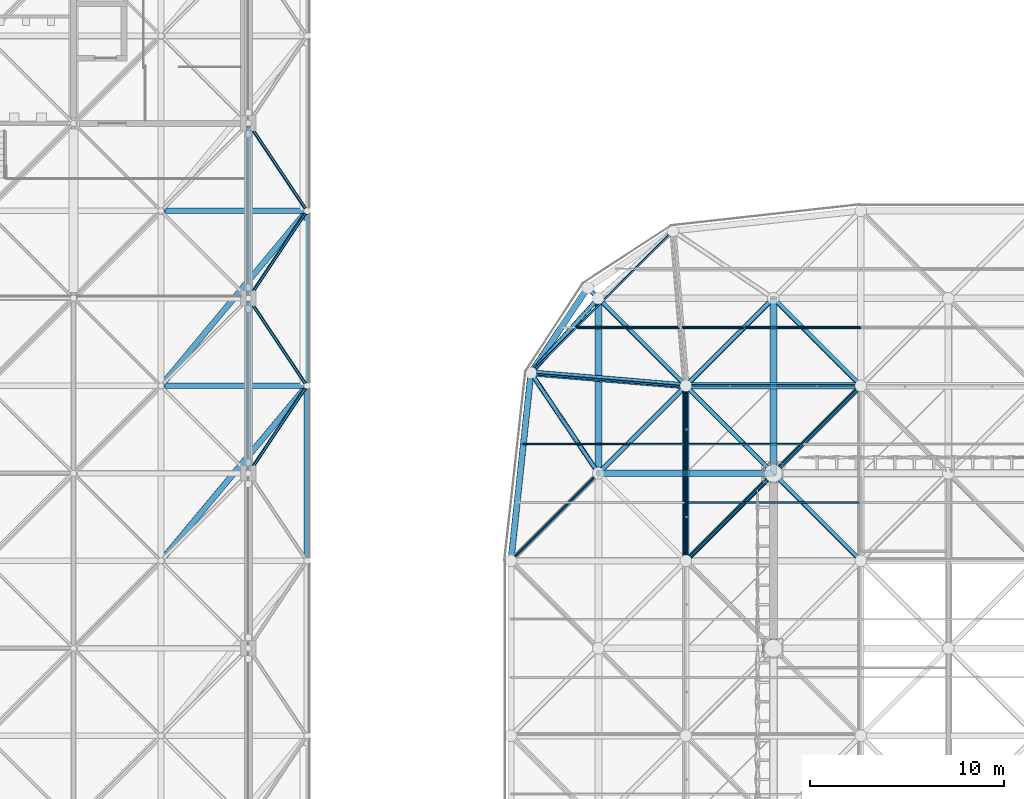
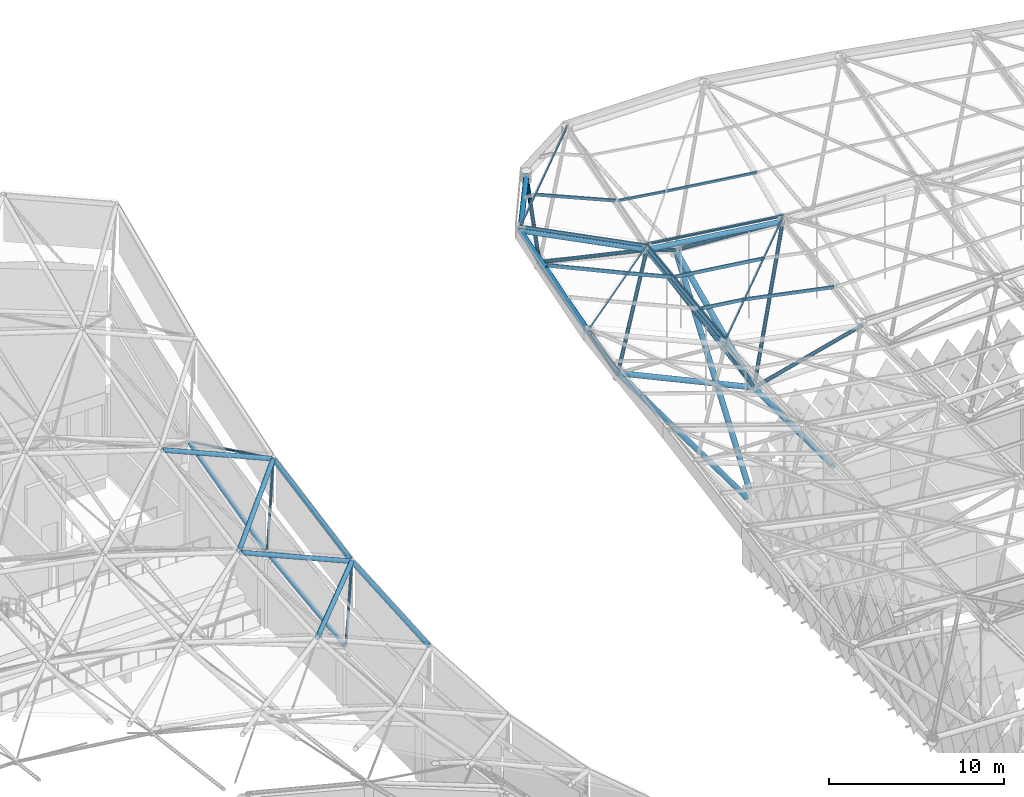
# One storey, part 145 of 437: 49 members.
"""IFC4 building model written with IfcOpenShell, lengths in metres."""

import ifcopenshell
import ifcopenshell.guid

model = None  # the IFC model being written
_history = None  # IfcOwnerHistory: only IFC2X3 demands one
_inside = {}  # id of a spatial element -> (the spatial element, [elements in it])
_under = {}  # id of a project, library or spatial element -> (it, [spatial elements below it])
_declared = {}  # id of a project -> (the project, [libraries it declares])
_typed = {}  # id of a type object -> (the type object, [elements of that type])
_made_of = {}  # id of a material, layer set ... -> (it, [elements and type objects made of it])


def new_model(schema):
    """Start an empty IFC model of exactly this schema.

    Asked for "IFC4X3", IfcOpenShell would pick the latest addendum, in which some entities
    have other attributes; the version numbers below select the first issue.
    IFC2X3 requires an IfcOwnerHistory on every rooted entity: one is made here for all.
    """
    global model, _history
    if schema == "IFC4X3":
        model = ifcopenshell.file(schema_version=(4, 3, 0, 0))
    else:
        model = ifcopenshell.file(schema=schema)
    _inside.clear()
    _under.clear()
    _declared.clear()
    _typed.clear()
    _made_of.clear()
    _history = None
    if model.schema == "IFC2X3":
        org = make("IfcOrganization", Name="unknown")
        user = make(
            "IfcPersonAndOrganization",
            ThePerson=make("IfcPerson", FamilyName="unknown"),
            TheOrganization=org,
        )
        app = make(
            "IfcApplication",
            ApplicationDeveloper=org,
            Version="unknown",
            ApplicationFullName="unknown",
            ApplicationIdentifier="unknown",
        )
        _history = make(
            "IfcOwnerHistory",
            OwningUser=user,
            OwningApplication=app,
            ChangeAction="ADDED",
            CreationDate=0,
        )
    return model


def make(cls, **values):
    """One entity of the class cls with the attributes given. An attribute that is None is left unset."""
    return model.create_entity(
        cls, **{name: value for name, value in values.items() if value is not None}
    )


def rooted(cls, **values):
    """An entity with a GlobalId (a new one), such as an element, a storey or a relation."""
    return make(cls, GlobalId=ifcopenshell.guid.new(), OwnerHistory=_history, **values)


def si_unit(unit_type, name, prefix=None):
    """IfcSIUnit, for example si_unit("LENGTHUNIT", "METRE", prefix="MILLI")."""
    return make("IfcSIUnit", UnitType=unit_type, Prefix=prefix, Name=name)


def assignment(units):
    """IfcUnitAssignment: the units of a project."""
    return None if units is None else make("IfcUnitAssignment", Units=units)


def point(xyz):
    """IfcCartesianPoint."""
    return None if xyz is None else make("IfcCartesianPoint", Coordinates=xyz)


def direction(xyz):
    """IfcDirection."""
    return None if xyz is None else make("IfcDirection", DirectionRatios=xyz)


def frame(location, z_axis=None, x_axis=None):
    """IfcAxis2Placement3D, a coordinate frame: its origin and axes. An axis left out is left unset."""
    return make(
        "IfcAxis2Placement3D",
        Location=point(location),
        Axis=direction(z_axis),
        RefDirection=direction(x_axis),
    )


def frame_2d(location, x_axis=None):
    """IfcAxis2Placement2D, a coordinate frame in the plane: its origin and x axis."""
    return make(
        "IfcAxis2Placement2D", Location=point(location), RefDirection=direction(x_axis)
    )


def origin():
    """The frame at (0, 0, 0) with its axes left unset."""
    return frame((0.0, 0.0, 0.0))


def origin_2d():
    """The frame at (0, 0) in the plane with its x axis left unset."""
    return frame_2d((0.0, 0.0))


def place(relative_to, where):
    """IfcLocalPlacement: puts the frame where relative to a parent placement (None: the world)."""
    return make(
        "IfcLocalPlacement", PlacementRelTo=relative_to, RelativePlacement=where
    )


def context(
    kind, dimensions, precision=None, world=None, true_north=None, identifier=None
):
    """IfcGeometricRepresentationContext, for example the 3D "Model" context."""
    return make(
        "IfcGeometricRepresentationContext",
        ContextIdentifier=identifier,
        ContextType=kind,
        CoordinateSpaceDimension=dimensions,
        Precision=precision,
        WorldCoordinateSystem=world,
        TrueNorth=true_north,
    )


def subcontext(parent, identifier, kind, view, scale=None):
    """IfcGeometricRepresentationSubContext, for example "Body" below "Model"."""
    return make(
        "IfcGeometricRepresentationSubContext",
        ContextIdentifier=identifier,
        ContextType=kind,
        ParentContext=parent,
        TargetScale=scale,
        TargetView=view,
    )


def project(units=None, contexts=None):
    """IfcProject with its units and contexts."""
    return rooted(
        "IfcProject",
        Name="project",
        RepresentationContexts=contexts,
        UnitsInContext=assignment(units),
    )


def spatial(cls, under=None, at=None, **own):
    """A site, building, storey or space (cls), placed at a placement, below another one or the project."""
    s = rooted(cls, ObjectPlacement=at, **own)
    if under is not None:
        _under.setdefault(under.id(), (under, []))[1].append(s)
    return s


def polyline(points):
    """IfcPolyline through the points."""
    return make("IfcPolyline", Points=[point(p) for p in points])


def profile(cls, at=None, kind="AREA", **sizes):
    """A parametric profile (cls). Its sizes go by their IFC names, for example OverallWidth=200.0."""
    return make(cls, ProfileType=kind, Position=at, **sizes)


def hollow_circle(**sizes):
    """IfcCircleHollowProfileDef."""
    return profile("IfcCircleHollowProfileDef", **sizes)


def outline(outer, holes=None, kind="AREA"):
    """IfcArbitraryClosedProfileDef: a profile drawn as a closed curve; with holes, ...WithVoids."""
    if holes is None:
        return make("IfcArbitraryClosedProfileDef", ProfileType=kind, OuterCurve=outer)
    return make(
        "IfcArbitraryProfileDefWithVoids",
        ProfileType=kind,
        OuterCurve=outer,
        InnerCurves=holes,
    )


def extrude(swept, where, along, depth):
    """IfcExtrudedAreaSolid: the profile swept, set in the frame where, extruded along a direction by depth."""
    return make(
        "IfcExtrudedAreaSolid",
        SweptArea=swept,
        Position=where,
        ExtrudedDirection=direction(along),
        Depth=depth,
    )


def shape(context_of_items, identifier, shape_type, items):
    """IfcShapeRepresentation: the items that make up one representation, for example the "Body"."""
    return make(
        "IfcShapeRepresentation",
        ContextOfItems=context_of_items,
        RepresentationIdentifier=identifier,
        RepresentationType=shape_type,
        Items=items,
    )


def material(Name=None, Category=None):
    """IfcMaterial."""
    return make("IfcMaterial", Name=Name, Category=Category)


def material_profile(
    of_material, cross_section, Name=None, Category=None, Priority=None
):
    """IfcMaterialProfile: a cross section and its material."""
    return make(
        "IfcMaterialProfile",
        Name=Name,
        Material=of_material,
        Profile=cross_section,
        Priority=Priority,
        Category=Category,
    )


def profile_set(profiles, Name=None, composite=None):
    """IfcMaterialProfileSet."""
    return make(
        "IfcMaterialProfileSet",
        Name=Name,
        MaterialProfiles=profiles,
        CompositeProfile=composite,
    )


def made_of(thing, what):
    """Note that an element or type object is made of a material, layer set ...; save() writes the relation."""
    if what is not None:
        _made_of.setdefault(what.id(), (what, []))[1].append(thing)
    return thing


def type_object(cls, material=None, **own):
    """A type object (cls), such as IfcWallType, which elements share."""
    return made_of(rooted(cls, **own), material)


def element(
    cls,
    number,
    at=None,
    inside=None,
    cuts=None,
    type_object=None,
    material=None,
    context=None,
    identifier="Body",
    shape_type=None,
    held_by="IfcProductDefinitionShape",
    body=None,
    shapes=None,
    **own,
):
    """One element of the class cls, such as IfcWall. Its Tag is "e" and its number.

    at: its placement. inside: the storey or other place that contains it. cuts: it is an
    opening in that element (IfcRelVoidsElement). A single representation is given by context,
    identifier, shape_type and body (its items); several are given by shapes. held_by: the class
    of the entity that holds the representations. save() writes the other relations.
    """
    e = rooted(cls, Tag="e%d" % number, ObjectPlacement=at, **own)
    if body is not None:
        shapes = [shape(context, identifier, shape_type, body)]
    if shapes is not None:
        e.Representation = make(held_by, Representations=shapes)
    if inside is not None:
        _inside.setdefault(inside.id(), (inside, []))[1].append(e)
    if cuts is not None:
        rooted(
            "IfcRelVoidsElement", RelatingBuildingElement=cuts, RelatedOpeningElement=e
        )
    if type_object is not None:
        _typed.setdefault(type_object.id(), (type_object, []))[1].append(e)
    return made_of(e, material)


def aggregate(whole, parts):
    """IfcRelAggregates: a whole, such as a stair, and the parts it consists of."""
    return rooted("IfcRelAggregates", RelatingObject=whole, RelatedObjects=parts)


def save(model, path):
    """Write the relations noted so far, then the file.

    IfcRelAggregates (storeys below a building ...), IfcRelContainedInSpatialStructure (elements
    in a storey), IfcRelDefinesByType, IfcRelAssociatesMaterial and IfcRelDeclares: one each for
    every whole, place, type object, material and project.
    """
    for whole, parts in _under.values():
        aggregate(whole, parts)
    for where, things in _inside.values():
        rooted(
            "IfcRelContainedInSpatialStructure",
            RelatedElements=things,
            RelatingStructure=where,
        )
    for kind, things in _typed.values():
        rooted("IfcRelDefinesByType", RelatedObjects=things, RelatingType=kind)
    for what, things in _made_of.values():
        rooted("IfcRelAssociatesMaterial", RelatedObjects=things, RelatingMaterial=what)
    for by, libraries in _declared.values():
        rooted("IfcRelDeclares", RelatingContext=by, RelatedDefinitions=libraries)
    model.write(path)


model = new_model("IFC4")

# Units and contexts
model_context = context("Model", 3, precision=1e-05, world=origin(), true_north=direction((0.0, 1.0)))
body_context = subcontext(model_context, "Body", "Model", "MODEL_VIEW")
ifc_project = project(units=[si_unit("LENGTHUNIT", "METRE"), si_unit("AREAUNIT", "SQUARE_METRE"), si_unit("VOLUMEUNIT", "CUBIC_METRE"), si_unit("PLANEANGLEUNIT", "RADIAN"), si_unit("MASSUNIT", "GRAM", prefix="KILO")], contexts=[model_context])

# Site, building, storey
site_placement = place(None, origin())
site = spatial("IfcSite", under=ifc_project, at=site_placement, CompositionType="ELEMENT")
building_placement = place(site_placement, origin())
building = spatial("IfcBuilding", under=site, at=building_placement, Name="Opaline Strait Convention Centre", CompositionType="ELEMENT")
storey_placement = place(building_placement, frame((0.0, 0.0, 11.5)))
storey = spatial("IfcBuildingStorey", under=building, at=storey_placement, Name="L02", CompositionType="ELEMENT", Elevation=11.5)

# Members
ifc_material = material(Name="Steel Q355B", Category="steel")
ifc_material_profile_1 = material_profile(ifc_material, hollow_circle(Radius=0.175537109375, WallThickness=0.01611328125, at=origin_2d()), Name="CHS 351x16")
ifc_profile_set_1 = profile_set([ifc_material_profile_1], Name="Steel Q355B")
member_type_1 = type_object("IfcMemberType", Name="Raking prop CHS 351x16", PredefinedType="BRACE", material=ifc_profile_set_1)
for number, where, z_axis, x_axis, name in (
    (1, (99.0, 153.51611328125, 5.02197265625), (0.0, 0.58919697761, 0.807989431599), (-1.0, 0.0, 0.0), "Raking prop 99/153 N"),
    (2, (98.48388671875, 153.0, 5.02197265625), (-0.58919697761, 0.0, 0.807989431599), (0.0, -1.0, 0.0), "Raking prop 99/153 W"),
):
    element("IfcMember", number, at=place(storey_placement, frame(where, z_axis=z_axis, x_axis=x_axis)), inside=storey, type_object=member_type_1, Name=name, PredefinedType="BRACE", context=body_context, shape_type="SweptSolid", body=[
        extrude(hollow_circle(Radius=0.175537109375, WallThickness=0.01611328125, at=origin_2d()), origin(), (0.0, 0.0, 1.0), 14.44921875),
    ])
ifc_material_profile_2 = material_profile(ifc_material, outline(polyline([(-0.03759765625, -0.125), (0.03759765625, -0.125), (0.03759765625, -0.10498046875), (0.034912109375, -0.10498046875), (0.034912109375, -0.12255859375), (-0.034912109375, -0.12255859375), (-0.034912109375, 0.12255859375), (0.034912109375, 0.12255859375), (0.034912109375, 0.10498046875), (0.03759765625, 0.10498046875), (0.03759765625, 0.125), (-0.03759765625, 0.125), (-0.03759765625, -0.125)])), Name="C 250x75x20x2.5")
ifc_profile_set_2 = profile_set([ifc_material_profile_2], Name="Steel Q355B")
member_type_2 = type_object("IfcMemberType", Name="Roof purlin C 250x75x20x2.5", PredefinedType="PURLIN", material=ifc_profile_set_2)
member_1_placement = place(storey_placement, frame((85.5, 148.5, 24.065673828125), z_axis=(0.690740022732, 0.690740022732, -0.213907554783), x_axis=(-0.602521591585, 0.713355387204, 0.357899180246)))
element("IfcMember", 3, at=member_1_placement, inside=storey, type_object=member_type_2, Name="EXB-RF-F-0-12", PredefinedType="PURLIN", context=body_context, shape_type="SweptSolid", body=[
    extrude(outline(polyline([(-0.03759765625, -0.125), (0.03759765625, -0.125), (0.03759765625, -0.10498046875), (0.034912109375, -0.10498046875), (0.034912109375, -0.12255859375), (-0.034912109375, -0.12255859375), (-0.034912109375, 0.12255859375), (0.034912109375, 0.12255859375), (0.034912109375, 0.10498046875), (0.03759765625, 0.10498046875), (0.03759765625, 0.125), (-0.03759765625, 0.125), (-0.03759765625, -0.125)])), origin(), (0.0, 0.0, 1.0), 13.029541015625),
])
member_2_placement = place(storey_placement, frame((94.412109375, 148.449951171875, 20.138916015625), z_axis=(0.0, 0.991630499032, 0.129108301009), x_axis=(-0.916598046716, -0.051618787349, 0.39646377079)))
element("IfcMember", 4, at=member_2_placement, inside=storey, type_object=member_type_2, Name="EXB-RF-E-0-12a", PredefinedType="PURLIN", context=body_context, shape_type="SweptSolid", body=[
    extrude(outline(polyline([(-0.03759765625, -0.125), (0.03759765625, -0.125), (0.03759765625, -0.10498046875), (0.034912109375, -0.10498046875), (0.034912109375, -0.12255859375), (-0.034912109375, -0.12255859375), (-0.034912109375, 0.12255859375), (0.034912109375, 0.12255859375), (0.034912109375, 0.10498046875), (0.03759765625, 0.10498046875), (0.03759765625, 0.125), (-0.03759765625, 0.125), (-0.03759765625, -0.125)])), origin(), (0.0, 0.0, 1.0), 9.177001953125),
])
member_3_placement = place(storey_placement, frame((91.550048828125, 154.5, 22.18505859375), z_axis=(0.915362810246, 0.0, -0.402630010827), x_axis=(0.051977528429, 0.991632228384, 0.118168778316)))
element("IfcMember", 5, at=member_3_placement, inside=storey, type_object=member_type_2, Name="EXB-RF-P-0-12-1a", PredefinedType="PURLIN", context=body_context, shape_type="SweptSolid", body=[
    extrude(outline(polyline([(-0.03759765625, -0.125), (0.03759765625, -0.125), (0.03759765625, -0.10498046875), (0.034912109375, -0.10498046875), (0.034912109375, -0.12255859375), (-0.034912109375, -0.12255859375), (-0.034912109375, 0.12255859375), (0.034912109375, 0.12255859375), (0.034912109375, 0.10498046875), (0.03759765625, 0.10498046875), (0.03759765625, 0.125), (-0.03759765625, 0.125), (-0.03759765625, -0.125)])), origin(), (0.0, 0.0, 1.0), 3.0888671875),
])
member_4_placement = place(storey_placement, frame((94.54638671875, 157.4560546875, 21.251953125), z_axis=(-0.903662565532, 0.075517033196, 0.42153427542), x_axis=(-0.123221130266, -0.988553259853, -0.087057483823)))
element("IfcMember", 6, at=member_4_placement, inside=storey, type_object=member_type_2, Name="EXB-RF-E-0-12b", PredefinedType="PURLIN", context=body_context, shape_type="SweptSolid", body=[
    extrude(outline(polyline([(-0.03759765625, -0.125), (0.03759765625, -0.125), (0.03759765625, -0.10498046875), (0.034912109375, -0.10498046875), (0.034912109375, -0.12255859375), (-0.034912109375, -0.12255859375), (-0.034912109375, 0.12255859375), (0.034912109375, 0.12255859375), (0.034912109375, 0.10498046875), (0.03759765625, 0.10498046875), (0.03759765625, 0.125), (-0.03759765625, 0.125), (-0.03759765625, -0.125)])), origin(), (0.0, 0.0, 1.0), 8.9326171875),
])
member_5_placement = place(storey_placement, frame((86.137939453125, 154.5, 24.644287109375), z_axis=(0.91042951865, 0.0, -0.413664225635), x_axis=(0.059241297029, 0.989692168796, 0.130383586967)))
element("IfcMember", 7, at=member_5_placement, inside=storey, type_object=member_type_2, Name="EXB-RF-P-0-12-1b", PredefinedType="PURLIN", context=body_context, shape_type="SweptSolid", body=[
    extrude(outline(polyline([(-0.03759765625, -0.125), (0.03759765625, -0.125), (0.03759765625, -0.10498046875), (0.034912109375, -0.10498046875), (0.034912109375, -0.12255859375), (-0.034912109375, -0.12255859375), (-0.034912109375, 0.12255859375), (0.034912109375, 0.12255859375), (0.034912109375, 0.10498046875), (0.03759765625, 0.10498046875), (0.03759765625, 0.125), (-0.03759765625, 0.125), (-0.03759765625, -0.125)])), origin(), (0.0, 0.0, 1.0), 5.834716796875),
])
member_6_placement = place(storey_placement, frame((94.5, 148.5, 20.094970703125), z_axis=(0.707106781187, 0.707106781187, 0.0), x_axis=(-0.695418880638, 0.695418880638, 0.181066730526)))
element("IfcMember", 8, at=member_6_placement, inside=storey, type_object=member_type_2, Name="EXB-RF-F-1-12", PredefinedType="PURLIN", context=body_context, shape_type="SweptSolid", body=[
    extrude(outline(polyline([(-0.03759765625, -0.125), (0.03759765625, -0.125), (0.03759765625, -0.10498046875), (0.034912109375, -0.10498046875), (0.034912109375, -0.12255859375), (-0.034912109375, -0.12255859375), (-0.034912109375, 0.12255859375), (0.034912109375, 0.12255859375), (0.034912109375, 0.10498046875), (0.03759765625, 0.10498046875), (0.03759765625, 0.125), (-0.03759765625, 0.125), (-0.03759765625, -0.125)])), origin(), (0.0, 0.0, 1.0), 12.72802734375),
])
member_7_placement = place(storey_placement, frame((97.550048828125, 151.5, 20.087890625), z_axis=(0.979777081939, 0.0, -0.200092153035), x_axis=(0.040033968348, 0.97978004307, 0.196031498947)))
element("IfcMember", 9, at=member_7_placement, inside=storey, type_object=member_type_2, Name="EXB-RF-P-1-12-0a", PredefinedType="PURLIN", context=body_context, shape_type="SweptSolid", body=[
    extrude(outline(polyline([(-0.03759765625, -0.125), (0.03759765625, -0.125), (0.03759765625, -0.10498046875), (0.034912109375, -0.10498046875), (0.034912109375, -0.12255859375), (-0.034912109375, -0.12255859375), (-0.034912109375, 0.12255859375), (0.034912109375, 0.12255859375), (0.034912109375, 0.10498046875), (0.03759765625, 0.10498046875), (0.03759765625, 0.125), (-0.03759765625, 0.125), (-0.03759765625, -0.125)])), origin(), (0.0, 0.0, 1.0), 5.97265625),
])
member_8_placement = place(storey_placement, frame((94.5400390625, 148.449951171875, 20.08447265625), z_axis=(0.0, 0.991630499032, 0.129108301009), x_axis=(-0.991770001337, -0.016530030007, 0.126960712644)))
element("IfcMember", 10, at=member_8_placement, inside=storey, type_object=member_type_2, Name="EXB-RF-E-1-12b", PredefinedType="PURLIN", context=body_context, shape_type="SweptSolid", body=[
    extrude(outline(polyline([(-0.03759765625, -0.125), (0.03759765625, -0.125), (0.03759765625, -0.10498046875), (0.034912109375, -0.10498046875), (0.034912109375, -0.12255859375), (-0.034912109375, -0.12255859375), (-0.034912109375, 0.12255859375), (0.034912109375, 0.12255859375), (0.034912109375, 0.10498046875), (0.03759765625, 0.10498046875), (0.03759765625, 0.125), (-0.03759765625, 0.125), (-0.03759765625, -0.125)])), origin(), (0.0, 0.0, 1.0), 9.177001953125),
])
member_9_placement = place(storey_placement, frame((94.574462890625, 151.5, 20.47705078125), z_axis=(0.991635585638, 0.0, -0.12906922676), x_axis=(0.016662194131, 0.991632228384, 0.128015213616)))
element("IfcMember", 11, at=member_9_placement, inside=storey, type_object=member_type_2, Name="EXB-RF-P-1-12-0b", PredefinedType="PURLIN", context=body_context, shape_type="SweptSolid", body=[
    extrude(outline(polyline([(-0.03759765625, -0.125), (0.03759765625, -0.125), (0.03759765625, -0.10498046875), (0.034912109375, -0.10498046875), (0.034912109375, -0.12255859375), (-0.034912109375, -0.12255859375), (-0.034912109375, 0.12255859375), (0.034912109375, 0.12255859375), (0.034912109375, 0.10498046875), (0.03759765625, 0.10498046875), (0.03759765625, 0.125), (-0.03759765625, 0.125), (-0.03759765625, -0.125)])), origin(), (0.0, 0.0, 1.0), 2.899658203125),
])
member_10_placement = place(storey_placement, frame((94.574462890625, 154.5, 20.86767578125), z_axis=(0.991632318428, 0.0, -0.129094326171), x_axis=(0.01666543434, 0.991632228384, 0.128014791835)))
element("IfcMember", 12, at=member_10_placement, inside=storey, type_object=member_type_2, Name="EXB-RF-P-1-12-1b", PredefinedType="PURLIN", context=body_context, shape_type="SweptSolid", body=[
    extrude(outline(polyline([(-0.03759765625, -0.125), (0.03759765625, -0.125), (0.03759765625, -0.10498046875), (0.034912109375, -0.10498046875), (0.034912109375, -0.12255859375), (-0.034912109375, -0.12255859375), (-0.034912109375, 0.12255859375), (0.034912109375, 0.12255859375), (0.034912109375, 0.10498046875), (0.03759765625, 0.10498046875), (0.03759765625, 0.125), (-0.03759765625, 0.125), (-0.03759765625, -0.125)])), origin(), (0.0, 0.0, 1.0), 5.925048828125),
])
member_11_placement = place(storey_placement, frame((86.527587890625, 158.166259765625, 24.986328125), z_axis=(0.707106781187, 0.707106781187, 0.0), x_axis=(-0.699649356135, 0.699649356135, 0.144850118812)))
element("IfcMember", 13, at=member_11_placement, inside=storey, type_object=member_type_2, Name="EXB-RF-F-0-13", PredefinedType="PURLIN", context=body_context, shape_type="SweptSolid", body=[
    extrude(outline(polyline([(-0.03759765625, -0.125), (0.03759765625, -0.125), (0.03759765625, -0.10498046875), (0.034912109375, -0.10498046875), (0.034912109375, -0.12255859375), (-0.034912109375, -0.12255859375), (-0.034912109375, 0.12255859375), (0.034912109375, 0.12255859375), (0.034912109375, 0.10498046875), (0.03759765625, 0.10498046875), (0.03759765625, 0.125), (-0.03759765625, 0.125), (-0.03759765625, -0.125)])), origin(), (0.0, 0.0, 1.0), 10.33251953125),
])
member_12_placement = place(storey_placement, frame((88.911376953125, 160.5, 24.97802734375), z_axis=(0.918490841308, 0.0, -0.395442251704), x_axis=(0.156365325348, 0.918500910826, 0.363188603676)))
element("IfcMember", 14, at=member_12_placement, inside=storey, type_object=member_type_2, Name="EXB-RF-P-0-13-0a", PredefinedType="PURLIN", context=body_context, shape_type="SweptSolid", body=[
    extrude(outline(polyline([(-0.03759765625, -0.125), (0.03759765625, -0.125), (0.03759765625, -0.10498046875), (0.034912109375, -0.10498046875), (0.034912109375, -0.12255859375), (-0.034912109375, -0.12255859375), (-0.034912109375, 0.12255859375), (0.034912109375, 0.12255859375), (0.034912109375, 0.10498046875), (0.03759765625, 0.10498046875), (0.03759765625, 0.125), (-0.03759765625, 0.125), (-0.03759765625, -0.125)])), origin(), (0.0, 0.0, 1.0), 5.68603515625),
])
member_13_placement = place(storey_placement, frame((103.550048828125, 157.587890625, 20.131591796875), z_axis=(-0.991630499032, 0.0, 0.129108301009), x_axis=(-0.051618787349, -0.916598046716, -0.39646377079)))
element("IfcMember", 15, at=member_13_placement, inside=storey, type_object=member_type_2, Name="EXB-RF-E-1-13a", PredefinedType="PURLIN", context=body_context, shape_type="SweptSolid", body=[
    extrude(outline(polyline([(-0.03759765625, -0.125), (0.03759765625, -0.125), (0.03759765625, -0.10498046875), (0.034912109375, -0.10498046875), (0.034912109375, -0.12255859375), (-0.034912109375, -0.12255859375), (-0.034912109375, 0.12255859375), (0.034912109375, 0.12255859375), (0.034912109375, 0.10498046875), (0.03759765625, 0.10498046875), (0.03759765625, 0.125), (-0.03759765625, 0.125), (-0.03759765625, -0.125)])), origin(), (0.0, 0.0, 1.0), 9.177001953125),
])
member_14_placement = place(storey_placement, frame((97.550048828125, 160.5, 22.193603515625), z_axis=(0.99163078707, 0.0, -0.129106088686), x_axis=(0.051983230784, 0.915358568875, 0.39926987628)))
element("IfcMember", 16, at=member_14_placement, inside=storey, type_object=member_type_2, Name="EXB-RF-P-1-13-0a", PredefinedType="PURLIN", context=body_context, shape_type="SweptSolid", body=[
    extrude(outline(polyline([(-0.03759765625, -0.125), (0.03759765625, -0.125), (0.03759765625, -0.10498046875), (0.034912109375, -0.10498046875), (0.034912109375, -0.12255859375), (-0.034912109375, -0.12255859375), (-0.034912109375, 0.12255859375), (0.034912109375, 0.12255859375), (0.034912109375, 0.10498046875), (0.03759765625, 0.10498046875), (0.03759765625, 0.125), (-0.03759765625, 0.125), (-0.03759765625, -0.125)])), origin(), (0.0, 0.0, 1.0), 6.000244140625),
])
member_15_placement = place(storey_placement, frame((94.323974609375, 160.5, 22.66015625), z_axis=(0.989689677685, 0.0, -0.143228285907), x_axis=(0.059251320781, 0.91042030985, 0.409419272139)))
element("IfcMember", 17, at=member_15_placement, inside=storey, type_object=member_type_2, Name="EXB-RF-P-1-13-0b", PredefinedType="PURLIN", context=body_context, shape_type="SweptSolid", body=[
    extrude(outline(polyline([(-0.03759765625, -0.125), (0.03759765625, -0.125), (0.03759765625, -0.10498046875), (0.034912109375, -0.10498046875), (0.034912109375, -0.12255859375), (-0.034912109375, -0.12255859375), (-0.034912109375, 0.12255859375), (0.034912109375, 0.12255859375), (0.034912109375, 0.10498046875), (0.03759765625, 0.10498046875), (0.03759765625, 0.125), (-0.03759765625, 0.125), (-0.03759765625, -0.125)])), origin(), (0.0, 0.0, 1.0), 3.158447265625),
])
ifc_material_profile_3 = material_profile(ifc_material, hollow_circle(Radius=0.136474609375, WallThickness=0.011962890625, at=origin_2d()), Name="CHS 273x12")
ifc_profile_set_3 = profile_set([ifc_material_profile_3], Name="Steel Q355B")
member_type_3 = type_object("IfcMemberType", Name="Shell truss bottom chord CHS 273x12", PredefinedType="CHORD", material=ifc_profile_set_3)
member_16_placement = place(storey_placement, frame((72.0, 153.14990234375, 3.85693359375), z_axis=(0.0, 0.992034447069, 0.125966883853), x_axis=(-1.0, 0.0, 0.0)))
element("IfcMember", 18, at=member_16_placement, inside=storey, type_object=member_type_3, Name="PBC1 bottom chord Y8-5", PredefinedType="CHORD", context=body_context, shape_type="SweptSolid", body=[
    extrude(hollow_circle(Radius=0.136474609375, WallThickness=0.011962890625, at=origin_2d()), origin(), (0.0, 0.0, 1.0), 8.77001953125),
])
member_17_placement = place(storey_placement, frame((72.0, 162.14990234375, 5.018798828125), z_axis=(0.0, 0.969233447146, 0.246143301624), x_axis=(-1.0, 0.0, 0.0)))
element("IfcMember", 19, at=member_17_placement, inside=storey, type_object=member_type_3, Name="PBC1 bottom chord Y8-6", PredefinedType="CHORD", context=body_context, shape_type="SweptSolid", body=[
    extrude(hollow_circle(Radius=0.136474609375, WallThickness=0.011962890625, at=origin_2d()), origin(), (0.0, 0.0, 1.0), 8.976318359375),
])
ifc_material_profile_4 = material_profile(ifc_material, hollow_circle(Radius=0.1494140625, WallThickness=0.01611328125, at=origin_2d()), Name="CHS 299x16")
ifc_profile_set_4 = profile_set([ifc_material_profile_4], Name="Steel Q355B")
member_type_4 = type_object("IfcMemberType", Name="Shell truss top chord CHS 299x16", PredefinedType="CHORD", material=ifc_profile_set_4)
for number, where, z_axis, x_axis, name in (
    (20, (67.64990234375, 157.5, 9.20849609375), (0.917383800951, 0.0, -0.398003720777), (0.0, 1.0, 0.0), "PTC1 top chord X8-6"),
    (21, (67.64990234375, 166.5, 10.9228515625), (0.917383800951, 0.0, -0.398003720777), (0.0, 1.0, 0.0), "PTC1 top chord X8-7"),
):
    element("IfcMember", number, at=place(storey_placement, frame(where, z_axis=z_axis, x_axis=x_axis)), inside=storey, type_object=member_type_4, Name=name, PredefinedType="CHORD", context=body_context, shape_type="SweptSolid", body=[
        extrude(hollow_circle(Radius=0.1494140625, WallThickness=0.01611328125, at=origin_2d()), origin(), (0.0, 0.0, 1.0), 7.8486328125),
    ])
member_18_placement = place(storey_placement, frame((75.0, 148.64990234375, 5.457763671875), z_axis=(0.0, 0.997991520688, 0.063347649001), x_axis=(-1.0, 0.0, 0.0)))
element("IfcMember", 22, at=member_18_placement, inside=storey, type_object=member_type_4, Name="PTC1 top chord Y9-5", PredefinedType="CHORD", context=body_context, shape_type="SweptSolid", body=[
    extrude(hollow_circle(Radius=0.1494140625, WallThickness=0.01611328125, at=origin_2d()), origin(), (0.0, 0.0, 1.0), 8.7177734375),
])
member_19_placement = place(storey_placement, frame((75.0, 157.64990234375, 6.048095703125), z_axis=(0.0, 0.982337601302, 0.187117174701), x_axis=(-1.0, 0.0, 0.0)))
element("IfcMember", 23, at=member_19_placement, inside=storey, type_object=member_type_4, Name="PTC1 top chord Y9-6", PredefinedType="CHORD", context=body_context, shape_type="SweptSolid", body=[
    extrude(hollow_circle(Radius=0.1494140625, WallThickness=0.01611328125, at=origin_2d()), origin(), (0.0, 0.0, 1.0), 8.856689453125),
])
member_20_placement = place(storey_placement, frame((67.595947265625, 148.615234375, 8.667724609375), z_axis=(0.624043716713, 0.748835782199, -0.223191422167), x_axis=(-0.768214267482, 0.640192814109, 0.0)))
element("IfcMember", 24, at=member_20_placement, inside=storey, type_object=member_type_4, Name="PTC1 top chord D8-5", PredefinedType="CHORD", context=body_context, shape_type="SweptSolid", body=[
    extrude(hollow_circle(Radius=0.1494140625, WallThickness=0.01611328125, at=origin_2d()), origin(), (0.0, 0.0, 1.0), 11.7109375),
])
member_21_placement = place(storey_placement, frame((67.595947265625, 157.615234375, 9.25390625), z_axis=(0.63473479636, 0.761664792051, -0.130301507437), x_axis=(-0.768214267482, 0.640192814109, 0.0)))
element("IfcMember", 25, at=member_21_placement, inside=storey, type_object=member_type_4, Name="PTC1 top chord D8-6", PredefinedType="CHORD", context=body_context, shape_type="SweptSolid", body=[
    extrude(hollow_circle(Radius=0.1494140625, WallThickness=0.01611328125, at=origin_2d()), origin(), (0.0, 0.0, 1.0), 11.513671875),
])
ifc_material_profile_5 = material_profile(ifc_material, hollow_circle(Radius=0.083984375, WallThickness=0.010009765625, at=origin_2d()), Name="CHS 168x10")
ifc_profile_set_5 = profile_set([ifc_material_profile_5], Name="Steel Q355B")
member_type_5 = type_object("IfcMemberType", Name="Shell truss web CHS 168x10", PredefinedType="BRACE", material=ifc_profile_set_5)
member_22_placement = place(storey_placement, frame((72.083251953125, 153.124755859375, 3.8984375), z_axis=(0.514406220671, 0.771653653444, 0.374081380533), x_axis=(-0.832064999387, 0.554678138018, 0.0)))
element("IfcMember", 26, at=member_22_placement, inside=storey, type_object=member_type_5, Name="PWB1 web 8-5bd", PredefinedType="BRACE", context=body_context, shape_type="SweptSolid", body=[
    extrude(hollow_circle(Radius=0.083984375, WallThickness=0.010009765625, at=origin_2d()), origin(), (0.0, 0.0, 1.0), 5.50830078125),
])
member_23_placement = place(storey_placement, frame((72.083251953125, 161.875244140625, 5.009521484375), z_axis=(0.54472074795, -0.817128056333, 0.188629388765), x_axis=(0.832064999387, 0.554678138018, 0.0)))
element("IfcMember", 27, at=member_23_placement, inside=storey, type_object=member_type_5, Name="PWB1 web 8-6bc", PredefinedType="BRACE", context=body_context, shape_type="SweptSolid", body=[
    extrude(hollow_circle(Radius=0.083984375, WallThickness=0.010009765625, at=origin_2d()), origin(), (0.0, 0.0, 1.0), 5.20166015625),
])
member_24_placement = place(storey_placement, frame((72.083251953125, 162.124755859375, 5.05712890625), z_axis=(0.494319584438, 0.741521968384, 0.453644485081), x_axis=(-0.832064999387, 0.554678138018, 0.0)))
element("IfcMember", 28, at=member_24_placement, inside=storey, type_object=member_type_5, Name="PWB1 web 8-6bd", PredefinedType="BRACE", context=body_context, shape_type="SweptSolid", body=[
    extrude(hollow_circle(Radius=0.083984375, WallThickness=0.010009765625, at=origin_2d()), origin(), (0.0, 0.0, 1.0), 5.732177734375),
])
member_25_placement = place(storey_placement, frame((72.083251953125, 170.875244140625, 7.279296875), z_axis=(0.552616659628, -0.828972604181, 0.086135062663), x_axis=(0.832064999387, 0.554678138018, 0.0)))
element("IfcMember", 29, at=member_25_placement, inside=storey, type_object=member_type_5, Name="PWB1 web 8-7bc", PredefinedType="BRACE", context=body_context, shape_type="SweptSolid", body=[
    extrude(hollow_circle(Radius=0.083984375, WallThickness=0.010009765625, at=origin_2d()), origin(), (0.0, 0.0, 1.0), 5.12744140625),
])
ifc_material_profile_6 = material_profile(ifc_material, hollow_circle(Radius=0.175537109375, WallThickness=0.01611328125, at=origin_2d()), Name="CHS 351x16")
ifc_profile_set_6 = profile_set([ifc_material_profile_6], Name="Steel Q355B")
member_type_6 = type_object("IfcMemberType", Name="Space frame bottom chord CHS 351x16", PredefinedType="CHORD", material=ifc_profile_set_6)
member_26_placement = place(storey_placement, frame((89.95458984375, 153.0, 16.677490234375), z_axis=(0.907855885671, 0.0, -0.419282352183), x_axis=(0.0, 1.0, 0.0)))
element("IfcMember", 30, at=member_26_placement, inside=storey, type_object=member_type_6, Name="EXB-RF-BX-0-12", PredefinedType="CHORD", context=body_context, shape_type="SweptSolid", body=[
    extrude(hollow_circle(Radius=0.175537109375, WallThickness=0.01611328125, at=origin_2d()), origin(), (0.0, 0.0, 1.0), 10.013427734375),
])
member_27_placement = place(storey_placement, frame((90.0, 152.95166015625, 16.64404296875), z_axis=(0.0, 0.968974979118, 0.247158835253), x_axis=(-1.0, 0.0, 0.0)))
element("IfcMember", 31, at=member_27_placement, inside=storey, type_object=member_type_6, Name="EXB-RF-BY-0-12", PredefinedType="CHORD", context=body_context, shape_type="SweptSolid", body=[
    extrude(hollow_circle(Radius=0.175537109375, WallThickness=0.01611328125, at=origin_2d()), origin(), (0.0, 0.0, 1.0), 9.387939453125),
])
member_28_placement = place(storey_placement, frame((99.0, 143.949951171875, 12.5), z_axis=(0.0, 1.0, 0.0), x_axis=(-1.0, 0.0, 0.0)))
element("IfcMember", 32, at=member_28_placement, inside=storey, type_object=member_type_6, Name="EXB-RF-BY-1-11", PredefinedType="CHORD", context=body_context, shape_type="SweptSolid", body=[
    extrude(hollow_circle(Radius=0.175537109375, WallThickness=0.01611328125, at=origin_2d()), origin(), (0.0, 0.0, 1.0), 9.10009765625),
])
member_29_placement = place(storey_placement, frame((99.0, 152.95458984375, 12.47900390625), z_axis=(0.0, 0.907855885671, 0.419282352183), x_axis=(-1.0, 0.0, 0.0)))
element("IfcMember", 33, at=member_29_placement, inside=storey, type_object=member_type_6, Name="EXB-RF-BY-1-12", PredefinedType="CHORD", context=body_context, shape_type="SweptSolid", body=[
    extrude(hollow_circle(Radius=0.175537109375, WallThickness=0.01611328125, at=origin_2d()), origin(), (0.0, 0.0, 1.0), 10.013427734375),
])
ifc_material_profile_7 = material_profile(ifc_material, hollow_circle(Radius=0.16259765625, WallThickness=0.013916015625, at=origin_2d()), Name="CHS 325x14")
ifc_profile_set_7 = profile_set([ifc_material_profile_7], Name="Steel Q355B")
member_type_7 = type_object("IfcMemberType", Name="Space frame top chord CHS 325x14", PredefinedType="CHORD", material=ifc_profile_set_7)
member_30_placement = place(storey_placement, frame((86.499755859375, 158.124755859375, 24.698486328125), z_axis=(0.555386538883, 0.83110196842, 0.028553642769), x_axis=(-0.83144097882, 0.555613083664, 0.0)))
element("IfcMember", 34, at=member_30_placement, inside=storey, type_object=member_type_7, Name="EXB-RF-TY-0-13", PredefinedType="CHORD", context=body_context, shape_type="SweptSolid", body=[
    extrude(hollow_circle(Radius=0.16259765625, WallThickness=0.013916015625, at=origin_2d()), origin(), (0.0, 0.0, 1.0), 5.36962890625),
])
ifc_material_profile_8 = material_profile(ifc_material, hollow_circle(Radius=0.16259765625, WallThickness=0.02001953125, at=origin_2d()), Name="CHS 325x20")
ifc_profile_set_8 = profile_set([ifc_material_profile_8], Name="Steel Q355B")
member_type_8 = type_object("IfcMemberType", Name="Space frame top chord CHS 325x20", PredefinedType="CHORD", material=ifc_profile_set_8)
member_31_placement = place(storey_placement, frame((86.482421875, 158.169921875, 24.720947265625), z_axis=(0.903666960961, -0.075494841644, -0.421528827664), x_axis=(0.083252748903, 0.996528464119, 0.0)))
element("IfcMember", 35, at=member_31_placement, inside=storey, type_object=member_type_8, Name="EXB-RF-TX-0-13", PredefinedType="CHORD", context=body_context, shape_type="SweptSolid", body=[
    extrude(hollow_circle(Radius=0.16259765625, WallThickness=0.02001953125, at=origin_2d()), origin(), (0.0, 0.0, 1.0), 8.92236328125),
])
member_32_placement = place(storey_placement, frame((94.450439453125, 157.5, 20.987548828125), z_axis=(0.991632131326, 0.0, -0.129095763381), x_axis=(0.0, 1.0, 0.0)))
element("IfcMember", 36, at=member_32_placement, inside=storey, type_object=member_type_8, Name="EXB-RF-TX-1-13", PredefinedType="CHORD", context=body_context, shape_type="SweptSolid", body=[
    extrude(hollow_circle(Radius=0.16259765625, WallThickness=0.02001953125, at=origin_2d()), origin(), (0.0, 0.0, 1.0), 9.176025390625),
])
member_33_placement = place(storey_placement, frame((85.49462890625, 148.450439453125, 23.763427734375), z_axis=(0.105249170228, 0.989856938619, 0.095424594498), x_axis=(-0.994394698376, 0.105731659596, 0.0)))
element("IfcMember", 37, at=member_33_placement, inside=storey, type_object=member_type_8, Name="EXB-RF-TY-0-12", PredefinedType="CHORD", context=body_context, shape_type="SweptSolid", body=[
    extrude(hollow_circle(Radius=0.16259765625, WallThickness=0.02001953125, at=origin_2d()), origin(), (0.0, 0.0, 1.0), 9.865478515625),
])
member_34_placement = place(storey_placement, frame((94.5, 148.450439453125, 19.802978515625), z_axis=(0.0, 0.991632131326, 0.129095763381), x_axis=(-1.0, 0.0, 0.0)))
element("IfcMember", 38, at=member_34_placement, inside=storey, type_object=member_type_8, Name="EXB-RF-TY-1-12", PredefinedType="CHORD", context=body_context, shape_type="SweptSolid", body=[
    extrude(hollow_circle(Radius=0.16259765625, WallThickness=0.02001953125, at=origin_2d()), origin(), (0.0, 0.0, 1.0), 9.176025390625),
])
ifc_material_profile_9 = material_profile(ifc_material, hollow_circle(Radius=0.12255859375, WallThickness=0.011962890625, at=origin_2d()), Name="CHS 245x12")
ifc_profile_set_9 = profile_set([ifc_material_profile_9], Name="Steel Q355B")
member_type_9 = type_object("IfcMemberType", Name="Space frame web CHS 245x12", PredefinedType="BRACE", material=ifc_profile_set_9)
member_35_placement = place(storey_placement, frame((86.510498046875, 158.191650390625, 24.739501953125), z_axis=(0.341413165258, -0.507948056004, -0.790838683292), x_axis=(0.829947049924, 0.557842176895, 0.0)))
element("IfcMember", 39, at=member_35_placement, inside=storey, type_object=member_type_9, Name="EXB-RF-W-0-12-01", PredefinedType="BRACE", context=body_context, shape_type="SweptSolid", body=[
    extrude(hollow_circle(Radius=0.12255859375, WallThickness=0.011962890625, at=origin_2d()), origin(), (0.0, 0.0, 1.0), 10.270751953125),
])
member_36_placement = place(storey_placement, frame((94.529296875, 157.529296875, 21.009033203125), z_axis=(-0.584861382304, -0.584861382304, -0.56202698065), x_axis=(0.707106781187, -0.707106781187, 0.0)))
element("IfcMember", 40, at=member_36_placement, inside=storey, type_object=member_type_9, Name="EXB-RF-W-0-12-11", PredefinedType="BRACE", context=body_context, shape_type="SweptSolid", body=[
    extrude(hollow_circle(Radius=0.12255859375, WallThickness=0.011962890625, at=origin_2d()), origin(), (0.0, 0.0, 1.0), 7.79443359375),
])
member_37_placement = place(storey_placement, frame((86.505126953125, 158.141357421875, 24.737060546875), z_axis=(0.449053467982, 0.495807143415, -0.743321101161), x_axis=(-0.741189063367, 0.671296337205, 0.0)))
element("IfcMember", 41, at=member_37_placement, inside=storey, type_object=member_type_9, Name="EXB-RF-W-0-13-00", PredefinedType="BRACE", context=body_context, shape_type="SweptSolid", body=[
    extrude(hollow_circle(Radius=0.12255859375, WallThickness=0.011962890625, at=origin_2d()), origin(), (0.0, 0.0, 1.0), 7.832763671875),
])
member_38_placement = place(storey_placement, frame((89.449462890625, 162.550537109375, 24.89990234375), z_axis=(0.091783840442, -0.091783840442, -0.991539940329), x_axis=(0.707106781187, 0.707106781187, 0.0)))
element("IfcMember", 42, at=member_38_placement, inside=storey, type_object=member_type_9, Name="EXB-RF-W-0-13-01", PredefinedType="BRACE", context=body_context, shape_type="SweptSolid", body=[
    extrude(hollow_circle(Radius=0.12255859375, WallThickness=0.011962890625, at=origin_2d()), origin(), (0.0, 0.0, 1.0), 6.048828125),
])
member_39_placement = place(storey_placement, frame((94.53369140625, 157.46630859375, 20.996337890625), z_axis=(-0.673688980386, 0.673688980386, -0.303786628102), x_axis=(-0.707106781187, -0.707106781187, 0.0)))
element("IfcMember", 43, at=member_39_placement, inside=storey, type_object=member_type_9, Name="EXB-RF-W-0-13-10", PredefinedType="BRACE", context=body_context, shape_type="SweptSolid", body=[
    extrude(hollow_circle(Radius=0.12255859375, WallThickness=0.011962890625, at=origin_2d()), origin(), (0.0, 0.0, 1.0), 6.779541015625),
])
member_40_placement = place(storey_placement, frame((94.476806640625, 148.476806640625, 19.84716796875), z_axis=(0.464318393321, 0.464318393321, -0.754199482396), x_axis=(-0.707106781187, 0.707106781187, 0.0)))
element("IfcMember", 44, at=member_40_placement, inside=storey, type_object=member_type_9, Name="EXB-RF-W-1-12-00", PredefinedType="BRACE", context=body_context, shape_type="SweptSolid", body=[
    extrude(hollow_circle(Radius=0.12255859375, WallThickness=0.011962890625, at=origin_2d()), origin(), (0.0, 0.0, 1.0), 9.79150390625),
])
member_41_placement = place(storey_placement, frame((94.478759765625, 157.521240234375, 21.02099609375), z_axis=(0.424401940737, -0.424401940737, -0.799853727501), x_axis=(0.707106781187, 0.707106781187, 0.0)))
element("IfcMember", 45, at=member_41_placement, inside=storey, type_object=member_type_9, Name="EXB-RF-W-1-12-01", PredefinedType="BRACE", context=body_context, shape_type="SweptSolid", body=[
    extrude(hollow_circle(Radius=0.12255859375, WallThickness=0.011962890625, at=origin_2d()), origin(), (0.0, 0.0, 1.0), 10.703369140625),
])
member_42_placement = place(storey_placement, frame((103.52685546875, 148.47314453125, 18.004150390625), z_axis=(-0.536178220346, 0.536178220346, -0.6519400525), x_axis=(-0.707106781187, -0.707106781187, 0.0)))
element("IfcMember", 46, at=member_42_placement, inside=storey, type_object=member_type_9, Name="EXB-RF-W-1-12-10", PredefinedType="BRACE", context=body_context, shape_type="SweptSolid", body=[
    extrude(hollow_circle(Radius=0.12255859375, WallThickness=0.011962890625, at=origin_2d()), origin(), (0.0, 0.0, 1.0), 8.492919921875),
])
member_43_placement = place(storey_placement, frame((103.523193359375, 157.523193359375, 19.84716796875), z_axis=(-0.464318393321, -0.464318393321, -0.754199482396), x_axis=(0.707106781187, -0.707106781187, 0.0)))
element("IfcMember", 47, at=member_43_placement, inside=storey, type_object=member_type_9, Name="EXB-RF-W-1-12-11", PredefinedType="BRACE", context=body_context, shape_type="SweptSolid", body=[
    extrude(hollow_circle(Radius=0.12255859375, WallThickness=0.011962890625, at=origin_2d()), origin(), (0.0, 0.0, 1.0), 9.79150390625),
])
member_44_placement = place(storey_placement, frame((94.470703125, 157.470703125, 21.009033203125), z_axis=(0.584861382304, 0.584861382304, -0.56202698065), x_axis=(-0.707106781187, 0.707106781187, 0.0)))
element("IfcMember", 48, at=member_44_placement, inside=storey, type_object=member_type_9, Name="EXB-RF-W-1-13-00", PredefinedType="BRACE", context=body_context, shape_type="SweptSolid", body=[
    extrude(hollow_circle(Radius=0.12255859375, WallThickness=0.011962890625, at=origin_2d()), origin(), (0.0, 0.0, 1.0), 7.79443359375),
])
member_45_placement = place(storey_placement, frame((103.53173828125, 157.46826171875, 19.83154296875), z_axis=(-0.63361366965, 0.63361366965, -0.443922780747), x_axis=(-0.707106781187, -0.707106781187, 0.0)))
element("IfcMember", 49, at=member_45_placement, inside=storey, type_object=member_type_9, Name="EXB-RF-W-1-13-10", PredefinedType="BRACE", context=body_context, shape_type="SweptSolid", body=[
    extrude(hollow_circle(Radius=0.12255859375, WallThickness=0.011962890625, at=origin_2d()), origin(), (0.0, 0.0, 1.0), 7.202392578125),
])

save(model, "model.ifc")
